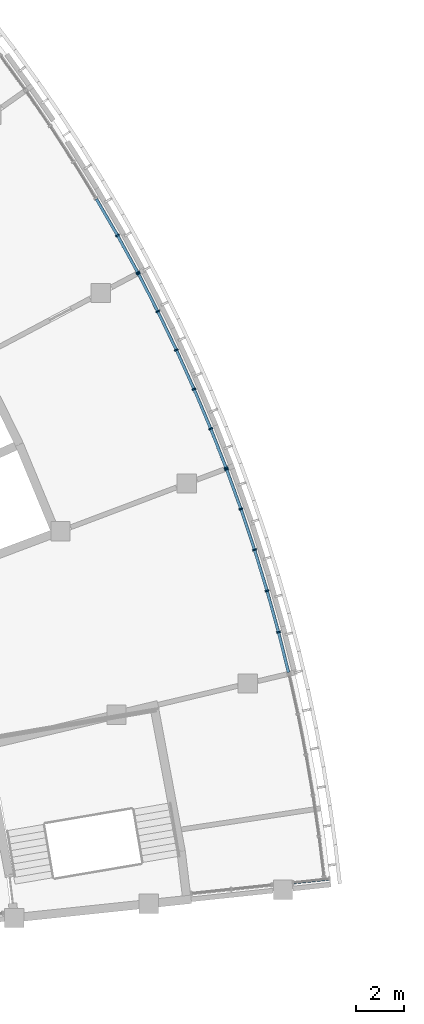
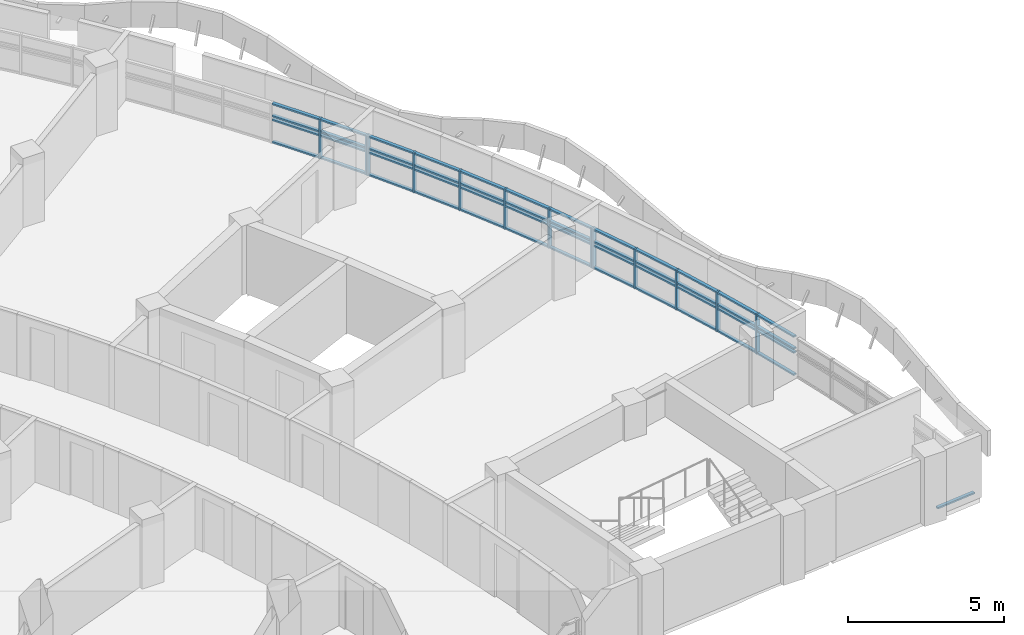
# One storey, part 20 of 89: 62 members, 4 elements without a shape of their own.
"""IFC4 building model written with IfcOpenShell, lengths in metres."""

from ifc_helpers import new_model, si_unit, direction, frame, origin, origin_2d, place, context, subcontext, project, spatial, rectangle, extrude, material, material_profile, profile_set, type_object, element, aggregate, save


model = new_model("IFC4")

# Units and contexts
model_context = context("Model", 3, precision=1e-05, world=origin(), true_north=direction((0.0, 1.0)))
body_context = subcontext(model_context, "Body", "Model", "MODEL_VIEW")
ifc_project = project(units=[si_unit("LENGTHUNIT", "METRE"), si_unit("AREAUNIT", "SQUARE_METRE"), si_unit("VOLUMEUNIT", "CUBIC_METRE"), si_unit("PLANEANGLEUNIT", "RADIAN"), si_unit("MASSUNIT", "GRAM", prefix="KILO")], contexts=[model_context])

# Site, building, storey
site_placement = place(None, origin())
site = spatial("IfcSite", under=ifc_project, at=site_placement, CompositionType="ELEMENT")
building_placement = place(site_placement, origin())
building = spatial("IfcBuilding", under=site, at=building_placement, Name="Bougainvillea Quay General Hospital", CompositionType="ELEMENT")
storey_placement = place(building_placement, frame((0.0, 0.0, 9.89990234375)))
storey = spatial("IfcBuildingStorey", under=building, at=storey_placement, Name="L01M", CompositionType="ELEMENT", Elevation=9.89990234375)

# Curtain wall, members
ifc_material_1 = material(Name="Aluminium curtain wall system, powder-coated glazed", Category="aluminium")
curtain_wall_type_1 = type_object("IfcCurtainWallType", Name="Unitised curtain wall CW-2100", PredefinedType="NOTDEFINED", material=ifc_material_1)
curtain_wall_1_placement = place(storey_placement, origin())
curtain_wall_1 = element("IfcCurtainWall", 1, at=curtain_wall_1_placement, inside=storey, type_object=curtain_wall_type_1, Name="CW-E05 a14b4", PredefinedType="NOTDEFINED")
ifc_material_2 = material(Name="Aluminium mullion, powder-coated charcoal", Category="aluminium")
ifc_material_profile_1 = material_profile(ifc_material_2, rectangle(XDim=0.159912109375, YDim=0.06005859375, at=origin_2d()))
ifc_profile_set_1 = profile_set([ifc_material_profile_1], Name="Aluminium mullion, powder-coated charcoal")
member_type_1 = type_object("IfcMemberType", Name="Curtain wall mullion 160x60", PredefinedType="MULLION", material=ifc_profile_set_1)
member_1_placement = place(storey_placement, frame((169.966064453125, 56.243408203125, 0.0), z_axis=(0.0, 0.0, 1.0), x_axis=(0.871193247428, 0.490940246503, 0.0)))
member_1 = element("IfcMember", 2, at=member_1_placement, type_object=member_type_1, Name="CW-E05 mullion 5", PredefinedType="MULLION", context=body_context, shape_type="SweptSolid", body=[
    extrude(rectangle(XDim=0.159912109375, YDim=0.06005859375, at=origin_2d()), origin(), (0.0, 0.0, 1.0), 1.550048828125),
])
member_2_placement = place(storey_placement, frame((170.805908203125, 54.707763671875, 0.0), z_axis=(0.0, 0.0, 1.0), x_axis=(0.877387439543, 0.479782535044, 0.0)))
member_2 = element("IfcMember", 3, at=member_2_placement, type_object=member_type_1, Name="CW-E05 mullion 6", PredefinedType="MULLION", context=body_context, shape_type="SweptSolid", body=[
    extrude(rectangle(XDim=0.159912109375, YDim=0.06005859375, at=origin_2d()), origin(), (0.0, 0.0, 1.0), 1.550048828125),
])

curtain_wall_2_placement = place(storey_placement, origin())
curtain_wall_2 = element("IfcCurtainWall", 4, at=curtain_wall_2_placement, inside=storey, type_object=curtain_wall_type_1, Name="CW-E06 a14b5", PredefinedType="NOTDEFINED")
member_3_placement = place(storey_placement, frame((170.833984375, 54.65478515625, 0.0), z_axis=(0.0, 0.0, 1.0), x_axis=(0.889346157599, 0.457234526215, 0.0)))
member_3 = element("IfcMember", 5, at=member_3_placement, type_object=member_type_1, Name="CW-E06 mullion 1", PredefinedType="MULLION", context=body_context, shape_type="SweptSolid", body=[
    extrude(rectangle(XDim=0.159912109375, YDim=0.06005859375, at=origin_2d()), origin(), (0.0, 0.0, 1.0), 1.550048828125),
])
member_4_placement = place(storey_placement, frame((171.63427734375, 53.09814453125, 0.0), z_axis=(0.0, 0.0, 1.0), x_axis=(0.895108735914, 0.445847901072, 0.0)))
member_4 = element("IfcMember", 6, at=member_4_placement, type_object=member_type_1, Name="CW-E06 mullion 2", PredefinedType="MULLION", context=body_context, shape_type="SweptSolid", body=[
    extrude(rectangle(XDim=0.159912109375, YDim=0.06005859375, at=origin_2d()), origin(), (0.0, 0.0, 1.0), 1.550048828125),
])
member_5_placement = place(storey_placement, frame((172.407470703125, 51.49462890625, 0.0), z_axis=(0.0, 0.0, 1.0), x_axis=(0.906195638727, 0.422858681301, 0.0)))
member_5 = element("IfcMember", 7, at=member_5_placement, type_object=member_type_1, Name="CW-E06 mullion 3", PredefinedType="MULLION", context=body_context, shape_type="SweptSolid", body=[
    extrude(rectangle(XDim=0.159912109375, YDim=0.06005859375, at=origin_2d()), origin(), (0.0, 0.0, 1.0), 1.550048828125),
])
member_6_placement = place(storey_placement, frame((173.1396484375, 49.871826171875, 0.0), z_axis=(0.0, 0.0, 1.0), x_axis=(0.916692224279, 0.399594001388, 0.0)))
member_6 = element("IfcMember", 8, at=member_6_placement, type_object=member_type_1, Name="CW-E06 mullion 4", PredefinedType="MULLION", context=body_context, shape_type="SweptSolid", body=[
    extrude(rectangle(XDim=0.159912109375, YDim=0.06005859375, at=origin_2d()), origin(), (0.0, 0.0, 1.0), 1.550048828125),
])
member_7_placement = place(storey_placement, frame((173.830078125, 48.23095703125, 0.0), z_axis=(0.0, 0.0, 1.0), x_axis=(0.926591654846, 0.376069016497, 0.0)))
member_7 = element("IfcMember", 9, at=member_7_placement, type_object=member_type_1, Name="CW-E06 mullion 5", PredefinedType="MULLION", context=body_context, shape_type="SweptSolid", body=[
    extrude(rectangle(XDim=0.159912109375, YDim=0.06005859375, at=origin_2d()), origin(), (0.0, 0.0, 1.0), 1.550048828125),
])
member_8_placement = place(storey_placement, frame((174.4677734375, 46.60107421875, 0.0), z_axis=(0.0, 0.0, 1.0), x_axis=(0.931315406472, 0.364213692311, 0.0)))
member_8 = element("IfcMember", 10, at=member_8_placement, type_object=member_type_1, Name="CW-E06 mullion 6", PredefinedType="MULLION", context=body_context, shape_type="SweptSolid", body=[
    extrude(rectangle(XDim=0.159912109375, YDim=0.06005859375, at=origin_2d()), origin(), (0.0, 0.0, 1.0), 1.550048828125),
])

curtain_wall_3_placement = place(storey_placement, origin())
curtain_wall_3 = element("IfcCurtainWall", 11, at=curtain_wall_3_placement, inside=storey, type_object=curtain_wall_type_1, Name="CW-E07 a14b6", PredefinedType="NOTDEFINED")
member_9_placement = place(storey_placement, frame((174.48876953125, 46.544921875, 0.0), z_axis=(0.0, 0.0, 1.0), x_axis=(0.940307135924, 0.340327034086, 0.0)))
member_9 = element("IfcMember", 12, at=member_9_placement, type_object=member_type_1, Name="CW-E07 mullion 1", PredefinedType="MULLION", context=body_context, shape_type="SweptSolid", body=[
    extrude(rectangle(XDim=0.159912109375, YDim=0.06005859375, at=origin_2d()), origin(), (0.0, 0.0, 1.0), 1.550048828125),
])
member_10_placement = place(storey_placement, frame((175.08447265625, 44.899169921875, 0.0), z_axis=(0.0, 0.0, 1.0), x_axis=(0.944573649334, 0.328299590289, 0.0)))
member_10 = element("IfcMember", 13, at=member_10_placement, type_object=member_type_1, Name="CW-E07 mullion 2", PredefinedType="MULLION", context=body_context, shape_type="SweptSolid", body=[
    extrude(rectangle(XDim=0.159912109375, YDim=0.06005859375, at=origin_2d()), origin(), (0.0, 0.0, 1.0), 1.550048828125),
])
member_11_placement = place(storey_placement, frame((175.6474609375, 43.210205078125, 0.0), z_axis=(0.0, 0.0, 1.0), x_axis=(0.952644499358, 0.304086267106, 0.0)))
member_11 = element("IfcMember", 14, at=member_11_placement, type_object=member_type_1, Name="CW-E07 mullion 3", PredefinedType="MULLION", context=body_context, shape_type="SweptSolid", body=[
    extrude(rectangle(XDim=0.159912109375, YDim=0.06005859375, at=origin_2d()), origin(), (0.0, 0.0, 1.0), 1.550048828125),
])
member_12_placement = place(storey_placement, frame((176.1669921875, 41.507568359375, 0.0), z_axis=(0.0, 0.0, 1.0), x_axis=(0.960094774236, 0.27967485494, 0.0)))
member_12 = element("IfcMember", 15, at=member_12_placement, type_object=member_type_1, Name="CW-E07 mullion 4", PredefinedType="MULLION", context=body_context, shape_type="SweptSolid", body=[
    extrude(rectangle(XDim=0.159912109375, YDim=0.06005859375, at=origin_2d()), origin(), (0.0, 0.0, 1.0), 1.550048828125),
])
member_13_placement = place(storey_placement, frame((176.64306640625, 39.7919921875, 0.0), z_axis=(0.0, 0.0, 1.0), x_axis=(0.966919620681, 0.255081255962, 0.0)))
member_13 = element("IfcMember", 16, at=member_13_placement, type_object=member_type_1, Name="CW-E07 mullion 5", PredefinedType="MULLION", context=body_context, shape_type="SweptSolid", body=[
    extrude(rectangle(XDim=0.159912109375, YDim=0.06005859375, at=origin_2d()), origin(), (0.0, 0.0, 1.0), 1.550048828125),
])

# Curtain wall, member
curtain_wall_type_2 = type_object("IfcCurtainWallType", Name="Unitised curtain wall CW-1581", PredefinedType="NOTDEFINED", material=ifc_material_1)
curtain_wall_4_placement = place(storey_placement, origin())
curtain_wall_4 = element("IfcCurtainWall", 17, at=curtain_wall_4_placement, inside=storey, type_object=curtain_wall_type_2, Name="CW-AE 05", PredefinedType="NOTDEFINED")
ifc_material_3 = material(Name="Aluminium transom, powder-coated charcoal", Category="aluminium")
ifc_material_profile_2 = material_profile(ifc_material_3, rectangle(XDim=0.1201171875, YDim=0.06005859375, at=origin_2d()))
ifc_profile_set_2 = profile_set([ifc_material_profile_2], Name="Aluminium transom, powder-coated charcoal")
member_type_2 = type_object("IfcMemberType", Name="Curtain wall transom 120x60", PredefinedType="USERDEFINED", material=ifc_profile_set_2)
member_14_placement = place(storey_placement, frame((177.27880859375, 29.40673828125, 0.030029296875), z_axis=(0.994526501462, 0.104484629923, 0.0), x_axis=(-0.104484629923, 0.994526501462, 0.0)))
member_14 = element("IfcMember", 18, at=member_14_placement, type_object=member_type_2, Name="CW-AE transom 1.1", ObjectType="TRANSOM", PredefinedType="USERDEFINED", context=body_context, shape_type="SweptSolid", body=[
    extrude(rectangle(XDim=0.1201171875, YDim=0.06005859375, at=origin_2d()), origin(), (0.0, 0.0, 1.0), 1.46044921875),
])
aggregate(curtain_wall_4, [member_14])

# Member
member_15_placement = place(storey_placement, frame((169.08740234375, 57.757080078125, 0.030029296875), z_axis=(0.502087586524, -0.864816775658, 0.0), x_axis=(0.864816775658, 0.502087586524, 0.0)))
member_15 = element("IfcMember", 19, at=member_15_placement, type_object=member_type_2, Name="CW-E05 transom 4.1", ObjectType="TRANSOM", PredefinedType="USERDEFINED", context=body_context, shape_type="SweptSolid", body=[
    extrude(rectangle(XDim=0.1201171875, YDim=0.06005859375, at=origin_2d()), origin(), (0.0, 0.0, 1.0), 1.720458984375),
])

member_16_placement = place(storey_placement, frame((169.08740234375, 57.757080078125, 0.900146484375), z_axis=(0.502087586524, -0.864816775658, 0.0), x_axis=(0.864816775658, 0.502087586524, 0.0)))
member_16 = element("IfcMember", 20, at=member_16_placement, type_object=member_type_2, Name="CW-E05 transom 4.2", ObjectType="TRANSOM", PredefinedType="USERDEFINED", context=body_context, shape_type="SweptSolid", body=[
    extrude(rectangle(XDim=0.1201171875, YDim=0.06005859375, at=origin_2d()), origin(), (0.0, 0.0, 1.0), 1.720458984375),
])

member_17_placement = place(storey_placement, frame((169.08740234375, 57.757080078125, 1.050048828125), z_axis=(0.502087586524, -0.864816775658, 0.0), x_axis=(0.864816775658, 0.502087586524, 0.0)))
member_17 = element("IfcMember", 21, at=member_17_placement, type_object=member_type_2, Name="CW-E05 transom 4.3", ObjectType="TRANSOM", PredefinedType="USERDEFINED", context=body_context, shape_type="SweptSolid", body=[
    extrude(rectangle(XDim=0.1201171875, YDim=0.06005859375, at=origin_2d()), origin(), (0.0, 0.0, 1.0), 1.720458984375),
])

member_18_placement = place(storey_placement, frame((169.08740234375, 57.757080078125, 1.52001953125), z_axis=(0.502087586524, -0.864816775658, 0.0), x_axis=(0.864816775658, 0.502087586524, 0.0)))
member_18 = element("IfcMember", 22, at=member_18_placement, type_object=member_type_2, Name="CW-E05 transom 4.4", ObjectType="TRANSOM", PredefinedType="USERDEFINED", context=body_context, shape_type="SweptSolid", body=[
    extrude(rectangle(XDim=0.1201171875, YDim=0.06005859375, at=origin_2d()), origin(), (0.0, 0.0, 1.0), 1.720458984375),
])

member_19_placement = place(storey_placement, frame((169.98046875, 56.217041015625, 0.030029296875), z_axis=(0.479782810498, -0.877387288915, 0.0), x_axis=(0.877387288915, 0.479782810498, 0.0)))
member_19 = element("IfcMember", 23, at=member_19_placement, type_object=member_type_2, Name="CW-E05 transom 5.1", ObjectType="TRANSOM", PredefinedType="USERDEFINED", context=body_context, shape_type="SweptSolid", body=[
    extrude(rectangle(XDim=0.1201171875, YDim=0.06005859375, at=origin_2d()), origin(), (0.0, 0.0, 1.0), 1.6904296875),
])

member_20_placement = place(storey_placement, frame((169.98046875, 56.217041015625, 0.900146484375), z_axis=(0.479782810498, -0.877387288915, 0.0), x_axis=(0.877387288915, 0.479782810498, 0.0)))
member_20 = element("IfcMember", 24, at=member_20_placement, type_object=member_type_2, Name="CW-E05 transom 5.2", ObjectType="TRANSOM", PredefinedType="USERDEFINED", context=body_context, shape_type="SweptSolid", body=[
    extrude(rectangle(XDim=0.1201171875, YDim=0.06005859375, at=origin_2d()), origin(), (0.0, 0.0, 1.0), 1.6904296875),
])

member_21_placement = place(storey_placement, frame((169.98046875, 56.217041015625, 1.050048828125), z_axis=(0.479782810498, -0.877387288915, 0.0), x_axis=(0.877387288915, 0.479782810498, 0.0)))
member_21 = element("IfcMember", 25, at=member_21_placement, type_object=member_type_2, Name="CW-E05 transom 5.3", ObjectType="TRANSOM", PredefinedType="USERDEFINED", context=body_context, shape_type="SweptSolid", body=[
    extrude(rectangle(XDim=0.1201171875, YDim=0.06005859375, at=origin_2d()), origin(), (0.0, 0.0, 1.0), 1.6904296875),
])

member_22_placement = place(storey_placement, frame((169.98046875, 56.217041015625, 1.52001953125), z_axis=(0.479782810498, -0.877387288915, 0.0), x_axis=(0.877387288915, 0.479782810498, 0.0)))
member_22 = element("IfcMember", 26, at=member_22_placement, type_object=member_type_2, Name="CW-E05 transom 5.4", ObjectType="TRANSOM", PredefinedType="USERDEFINED", context=body_context, shape_type="SweptSolid", body=[
    extrude(rectangle(XDim=0.1201171875, YDim=0.06005859375, at=origin_2d()), origin(), (0.0, 0.0, 1.0), 1.6904296875),
])

aggregate(curtain_wall_1, [member_1, member_2, member_15, member_16, member_17, member_18, member_19, member_20, member_21, member_22])

member_23_placement = place(storey_placement, frame((170.84765625, 54.6279296875, 0.030029296875), z_axis=(0.457295793511, -0.889314655922, 0.0), x_axis=(0.889314655922, 0.457295793511, 0.0)))
member_23 = element("IfcMember", 27, at=member_23_placement, type_object=member_type_2, Name="CW-E06 transom 1.1", ObjectType="TRANSOM", PredefinedType="USERDEFINED", context=body_context, shape_type="SweptSolid", body=[
    extrude(rectangle(XDim=0.1201171875, YDim=0.06005859375, at=origin_2d()), origin(), (0.0, 0.0, 1.0), 1.690185546875),
])

member_24_placement = place(storey_placement, frame((170.84765625, 54.6279296875, 0.900146484375), z_axis=(0.457295793511, -0.889314655922, 0.0), x_axis=(0.889314655922, 0.457295793511, 0.0)))
member_24 = element("IfcMember", 28, at=member_24_placement, type_object=member_type_2, Name="CW-E06 transom 1.2", ObjectType="TRANSOM", PredefinedType="USERDEFINED", context=body_context, shape_type="SweptSolid", body=[
    extrude(rectangle(XDim=0.1201171875, YDim=0.06005859375, at=origin_2d()), origin(), (0.0, 0.0, 1.0), 1.690185546875),
])

member_25_placement = place(storey_placement, frame((170.84765625, 54.6279296875, 1.050048828125), z_axis=(0.457295793511, -0.889314655922, 0.0), x_axis=(0.889314655922, 0.457295793511, 0.0)))
member_25 = element("IfcMember", 29, at=member_25_placement, type_object=member_type_2, Name="CW-E06 transom 1.3", ObjectType="TRANSOM", PredefinedType="USERDEFINED", context=body_context, shape_type="SweptSolid", body=[
    extrude(rectangle(XDim=0.1201171875, YDim=0.06005859375, at=origin_2d()), origin(), (0.0, 0.0, 1.0), 1.690185546875),
])

member_26_placement = place(storey_placement, frame((170.84765625, 54.6279296875, 1.52001953125), z_axis=(0.457295793511, -0.889314655922, 0.0), x_axis=(0.889314655922, 0.457295793511, 0.0)))
member_26 = element("IfcMember", 30, at=member_26_placement, type_object=member_type_2, Name="CW-E06 transom 1.4", ObjectType="TRANSOM", PredefinedType="USERDEFINED", context=body_context, shape_type="SweptSolid", body=[
    extrude(rectangle(XDim=0.1201171875, YDim=0.06005859375, at=origin_2d()), origin(), (0.0, 0.0, 1.0), 1.690185546875),
])

member_27_placement = place(storey_placement, frame((171.647216796875, 53.071044921875, 0.030029296875), z_axis=(0.434451356132, -0.90069529762, 0.0), x_axis=(0.90069529762, 0.434451356132, 0.0)))
member_27 = element("IfcMember", 31, at=member_27_placement, type_object=member_type_2, Name="CW-E06 transom 2.1", ObjectType="TRANSOM", PredefinedType="USERDEFINED", context=body_context, shape_type="SweptSolid", body=[
    extrude(rectangle(XDim=0.1201171875, YDim=0.06005859375, at=origin_2d()), origin(), (0.0, 0.0, 1.0), 1.72021484375),
])

member_28_placement = place(storey_placement, frame((171.647216796875, 53.071044921875, 0.900146484375), z_axis=(0.434451356132, -0.90069529762, 0.0), x_axis=(0.90069529762, 0.434451356132, 0.0)))
member_28 = element("IfcMember", 32, at=member_28_placement, type_object=member_type_2, Name="CW-E06 transom 2.2", ObjectType="TRANSOM", PredefinedType="USERDEFINED", context=body_context, shape_type="SweptSolid", body=[
    extrude(rectangle(XDim=0.1201171875, YDim=0.06005859375, at=origin_2d()), origin(), (0.0, 0.0, 1.0), 1.72021484375),
])

member_29_placement = place(storey_placement, frame((171.647216796875, 53.071044921875, 1.050048828125), z_axis=(0.434451356132, -0.90069529762, 0.0), x_axis=(0.90069529762, 0.434451356132, 0.0)))
member_29 = element("IfcMember", 33, at=member_29_placement, type_object=member_type_2, Name="CW-E06 transom 2.3", ObjectType="TRANSOM", PredefinedType="USERDEFINED", context=body_context, shape_type="SweptSolid", body=[
    extrude(rectangle(XDim=0.1201171875, YDim=0.06005859375, at=origin_2d()), origin(), (0.0, 0.0, 1.0), 1.72021484375),
])

member_30_placement = place(storey_placement, frame((171.647216796875, 53.071044921875, 1.52001953125), z_axis=(0.434451356132, -0.90069529762, 0.0), x_axis=(0.90069529762, 0.434451356132, 0.0)))
member_30 = element("IfcMember", 34, at=member_30_placement, type_object=member_type_2, Name="CW-E06 transom 2.4", ObjectType="TRANSOM", PredefinedType="USERDEFINED", context=body_context, shape_type="SweptSolid", body=[
    extrude(rectangle(XDim=0.1201171875, YDim=0.06005859375, at=origin_2d()), origin(), (0.0, 0.0, 1.0), 1.72021484375),
])

member_31_placement = place(storey_placement, frame((172.419921875, 51.46728515625, 0.030029296875), z_axis=(0.411267298249, -0.911514788356, 0.0), x_axis=(0.911514788356, 0.411267298249, 0.0)))
member_31 = element("IfcMember", 35, at=member_31_placement, type_object=member_type_2, Name="CW-E06 transom 3.1", ObjectType="TRANSOM", PredefinedType="USERDEFINED", context=body_context, shape_type="SweptSolid", body=[
    extrude(rectangle(XDim=0.1201171875, YDim=0.06005859375, at=origin_2d()), origin(), (0.0, 0.0, 1.0), 1.720458984375),
])

member_32_placement = place(storey_placement, frame((172.419921875, 51.46728515625, 0.900146484375), z_axis=(0.411267298249, -0.911514788356, 0.0), x_axis=(0.911514788356, 0.411267298249, 0.0)))
member_32 = element("IfcMember", 36, at=member_32_placement, type_object=member_type_2, Name="CW-E06 transom 3.2", ObjectType="TRANSOM", PredefinedType="USERDEFINED", context=body_context, shape_type="SweptSolid", body=[
    extrude(rectangle(XDim=0.1201171875, YDim=0.06005859375, at=origin_2d()), origin(), (0.0, 0.0, 1.0), 1.720458984375),
])

member_33_placement = place(storey_placement, frame((172.419921875, 51.46728515625, 1.050048828125), z_axis=(0.411267298249, -0.911514788356, 0.0), x_axis=(0.911514788356, 0.411267298249, 0.0)))
member_33 = element("IfcMember", 37, at=member_33_placement, type_object=member_type_2, Name="CW-E06 transom 3.3", ObjectType="TRANSOM", PredefinedType="USERDEFINED", context=body_context, shape_type="SweptSolid", body=[
    extrude(rectangle(XDim=0.1201171875, YDim=0.06005859375, at=origin_2d()), origin(), (0.0, 0.0, 1.0), 1.720458984375),
])

member_34_placement = place(storey_placement, frame((172.419921875, 51.46728515625, 1.52001953125), z_axis=(0.411267298249, -0.911514788356, 0.0), x_axis=(0.911514788356, 0.411267298249, 0.0)))
member_34 = element("IfcMember", 38, at=member_34_placement, type_object=member_type_2, Name="CW-E06 transom 3.4", ObjectType="TRANSOM", PredefinedType="USERDEFINED", context=body_context, shape_type="SweptSolid", body=[
    extrude(rectangle(XDim=0.1201171875, YDim=0.06005859375, at=origin_2d()), origin(), (0.0, 0.0, 1.0), 1.720458984375),
])

member_35_placement = place(storey_placement, frame((173.1513671875, 49.84423828125, 0.030029296875), z_axis=(0.387847626956, -0.921723504238, 0.0), x_axis=(0.921723504238, 0.387847626956, 0.0)))
member_35 = element("IfcMember", 39, at=member_35_placement, type_object=member_type_2, Name="CW-E06 transom 4.1", ObjectType="TRANSOM", PredefinedType="USERDEFINED", context=body_context, shape_type="SweptSolid", body=[
    extrude(rectangle(XDim=0.1201171875, YDim=0.06005859375, at=origin_2d()), origin(), (0.0, 0.0, 1.0), 1.720458984375),
])

member_36_placement = place(storey_placement, frame((173.1513671875, 49.84423828125, 0.900146484375), z_axis=(0.387847626956, -0.921723504238, 0.0), x_axis=(0.921723504238, 0.387847626956, 0.0)))
member_36 = element("IfcMember", 40, at=member_36_placement, type_object=member_type_2, Name="CW-E06 transom 4.2", ObjectType="TRANSOM", PredefinedType="USERDEFINED", context=body_context, shape_type="SweptSolid", body=[
    extrude(rectangle(XDim=0.1201171875, YDim=0.06005859375, at=origin_2d()), origin(), (0.0, 0.0, 1.0), 1.720458984375),
])

member_37_placement = place(storey_placement, frame((173.1513671875, 49.84423828125, 1.050048828125), z_axis=(0.387847626956, -0.921723504238, 0.0), x_axis=(0.921723504238, 0.387847626956, 0.0)))
member_37 = element("IfcMember", 41, at=member_37_placement, type_object=member_type_2, Name="CW-E06 transom 4.3", ObjectType="TRANSOM", PredefinedType="USERDEFINED", context=body_context, shape_type="SweptSolid", body=[
    extrude(rectangle(XDim=0.1201171875, YDim=0.06005859375, at=origin_2d()), origin(), (0.0, 0.0, 1.0), 1.720458984375),
])

member_38_placement = place(storey_placement, frame((173.1513671875, 49.84423828125, 1.52001953125), z_axis=(0.387847626956, -0.921723504238, 0.0), x_axis=(0.921723504238, 0.387847626956, 0.0)))
member_38 = element("IfcMember", 42, at=member_38_placement, type_object=member_type_2, Name="CW-E06 transom 4.4", ObjectType="TRANSOM", PredefinedType="USERDEFINED", context=body_context, shape_type="SweptSolid", body=[
    extrude(rectangle(XDim=0.1201171875, YDim=0.06005859375, at=origin_2d()), origin(), (0.0, 0.0, 1.0), 1.720458984375),
])

member_39_placement = place(storey_placement, frame((173.841064453125, 48.203125, 0.030029296875), z_axis=(0.364257753557, -0.931298174042, 0.0), x_axis=(0.931298174042, 0.364257753557, 0.0)))
member_39 = element("IfcMember", 43, at=member_39_placement, type_object=member_type_2, Name="CW-E06 transom 5.1", ObjectType="TRANSOM", PredefinedType="USERDEFINED", context=body_context, shape_type="SweptSolid", body=[
    extrude(rectangle(XDim=0.1201171875, YDim=0.06005859375, at=origin_2d()), origin(), (0.0, 0.0, 1.0), 1.6904296875),
])

member_40_placement = place(storey_placement, frame((173.841064453125, 48.203125, 0.900146484375), z_axis=(0.364257753557, -0.931298174042, 0.0), x_axis=(0.931298174042, 0.364257753557, 0.0)))
member_40 = element("IfcMember", 44, at=member_40_placement, type_object=member_type_2, Name="CW-E06 transom 5.2", ObjectType="TRANSOM", PredefinedType="USERDEFINED", context=body_context, shape_type="SweptSolid", body=[
    extrude(rectangle(XDim=0.1201171875, YDim=0.06005859375, at=origin_2d()), origin(), (0.0, 0.0, 1.0), 1.6904296875),
])

member_41_placement = place(storey_placement, frame((173.841064453125, 48.203125, 1.050048828125), z_axis=(0.364257753557, -0.931298174042, 0.0), x_axis=(0.931298174042, 0.364257753557, 0.0)))
member_41 = element("IfcMember", 45, at=member_41_placement, type_object=member_type_2, Name="CW-E06 transom 5.3", ObjectType="TRANSOM", PredefinedType="USERDEFINED", context=body_context, shape_type="SweptSolid", body=[
    extrude(rectangle(XDim=0.1201171875, YDim=0.06005859375, at=origin_2d()), origin(), (0.0, 0.0, 1.0), 1.6904296875),
])

member_42_placement = place(storey_placement, frame((173.841064453125, 48.203125, 1.52001953125), z_axis=(0.364257753557, -0.931298174042, 0.0), x_axis=(0.931298174042, 0.364257753557, 0.0)))
member_42 = element("IfcMember", 46, at=member_42_placement, type_object=member_type_2, Name="CW-E06 transom 5.4", ObjectType="TRANSOM", PredefinedType="USERDEFINED", context=body_context, shape_type="SweptSolid", body=[
    extrude(rectangle(XDim=0.1201171875, YDim=0.06005859375, at=origin_2d()), origin(), (0.0, 0.0, 1.0), 1.6904296875),
])

aggregate(curtain_wall_2, [member_3, member_4, member_5, member_6, member_7, member_8, member_23, member_24, member_25, member_26, member_27, member_28, member_29, member_30, member_31, member_32, member_33, member_34, member_35, member_36, member_37, member_38, member_39, member_40, member_41, member_42])

member_43_placement = place(storey_placement, frame((174.4990234375, 46.5166015625, 0.030029296875), z_axis=(0.340304572201, -0.940315265291, 0.0), x_axis=(0.940315265291, 0.340304572201, 0.0)))
member_43 = element("IfcMember", 47, at=member_43_placement, type_object=member_type_2, Name="CW-E07 transom 1.1", ObjectType="TRANSOM", PredefinedType="USERDEFINED", context=body_context, shape_type="SweptSolid", body=[
    extrude(rectangle(XDim=0.1201171875, YDim=0.06005859375, at=origin_2d()), origin(), (0.0, 0.0, 1.0), 1.690185546875),
])

member_44_placement = place(storey_placement, frame((174.4990234375, 46.5166015625, 0.900146484375), z_axis=(0.340304572201, -0.940315265291, 0.0), x_axis=(0.940315265291, 0.340304572201, 0.0)))
member_44 = element("IfcMember", 48, at=member_44_placement, type_object=member_type_2, Name="CW-E07 transom 1.2", ObjectType="TRANSOM", PredefinedType="USERDEFINED", context=body_context, shape_type="SweptSolid", body=[
    extrude(rectangle(XDim=0.1201171875, YDim=0.06005859375, at=origin_2d()), origin(), (0.0, 0.0, 1.0), 1.690185546875),
])

member_45_placement = place(storey_placement, frame((174.4990234375, 46.5166015625, 1.050048828125), z_axis=(0.340304572201, -0.940315265291, 0.0), x_axis=(0.940315265291, 0.340304572201, 0.0)))
member_45 = element("IfcMember", 49, at=member_45_placement, type_object=member_type_2, Name="CW-E07 transom 1.3", ObjectType="TRANSOM", PredefinedType="USERDEFINED", context=body_context, shape_type="SweptSolid", body=[
    extrude(rectangle(XDim=0.1201171875, YDim=0.06005859375, at=origin_2d()), origin(), (0.0, 0.0, 1.0), 1.690185546875),
])

member_46_placement = place(storey_placement, frame((174.4990234375, 46.5166015625, 1.52001953125), z_axis=(0.340304572201, -0.940315265291, 0.0), x_axis=(0.940315265291, 0.340304572201, 0.0)))
member_46 = element("IfcMember", 50, at=member_46_placement, type_object=member_type_2, Name="CW-E07 transom 1.4", ObjectType="TRANSOM", PredefinedType="USERDEFINED", context=body_context, shape_type="SweptSolid", body=[
    extrude(rectangle(XDim=0.1201171875, YDim=0.06005859375, at=origin_2d()), origin(), (0.0, 0.0, 1.0), 1.690185546875),
])

member_47_placement = place(storey_placement, frame((175.093994140625, 44.87060546875, 0.030029296875), z_axis=(0.316185191391, -0.948697488531, 0.0), x_axis=(0.948697488531, 0.316185191391, 0.0)))
member_47 = element("IfcMember", 51, at=member_47_placement, type_object=member_type_2, Name="CW-E07 transom 2.1", ObjectType="TRANSOM", PredefinedType="USERDEFINED", context=body_context, shape_type="SweptSolid", body=[
    extrude(rectangle(XDim=0.1201171875, YDim=0.06005859375, at=origin_2d()), origin(), (0.0, 0.0, 1.0), 1.720458984375),
])

member_48_placement = place(storey_placement, frame((175.093994140625, 44.87060546875, 0.900146484375), z_axis=(0.316185191391, -0.948697488531, 0.0), x_axis=(0.948697488531, 0.316185191391, 0.0)))
member_48 = element("IfcMember", 52, at=member_48_placement, type_object=member_type_2, Name="CW-E07 transom 2.2", ObjectType="TRANSOM", PredefinedType="USERDEFINED", context=body_context, shape_type="SweptSolid", body=[
    extrude(rectangle(XDim=0.1201171875, YDim=0.06005859375, at=origin_2d()), origin(), (0.0, 0.0, 1.0), 1.720458984375),
])

member_49_placement = place(storey_placement, frame((175.093994140625, 44.87060546875, 1.050048828125), z_axis=(0.316185191391, -0.948697488531, 0.0), x_axis=(0.948697488531, 0.316185191391, 0.0)))
member_49 = element("IfcMember", 53, at=member_49_placement, type_object=member_type_2, Name="CW-E07 transom 2.3", ObjectType="TRANSOM", PredefinedType="USERDEFINED", context=body_context, shape_type="SweptSolid", body=[
    extrude(rectangle(XDim=0.1201171875, YDim=0.06005859375, at=origin_2d()), origin(), (0.0, 0.0, 1.0), 1.720458984375),
])

member_50_placement = place(storey_placement, frame((175.093994140625, 44.87060546875, 1.52001953125), z_axis=(0.316185191391, -0.948697488531, 0.0), x_axis=(0.948697488531, 0.316185191391, 0.0)))
member_50 = element("IfcMember", 54, at=member_50_placement, type_object=member_type_2, Name="CW-E07 transom 2.4", ObjectType="TRANSOM", PredefinedType="USERDEFINED", context=body_context, shape_type="SweptSolid", body=[
    extrude(rectangle(XDim=0.1201171875, YDim=0.06005859375, at=origin_2d()), origin(), (0.0, 0.0, 1.0), 1.720458984375),
])

member_51_placement = place(storey_placement, frame((175.65625, 43.181396484375, 0.030029296875), z_axis=(0.29181104464, -0.956475987271, 0.0), x_axis=(0.956475987271, 0.29181104464, 0.0)))
member_51 = element("IfcMember", 55, at=member_51_placement, type_object=member_type_2, Name="CW-E07 transom 3.1", ObjectType="TRANSOM", PredefinedType="USERDEFINED", context=body_context, shape_type="SweptSolid", body=[
    extrude(rectangle(XDim=0.1201171875, YDim=0.06005859375, at=origin_2d()), origin(), (0.0, 0.0, 1.0), 1.72021484375),
])

member_52_placement = place(storey_placement, frame((175.65625, 43.181396484375, 0.900146484375), z_axis=(0.29181104464, -0.956475987271, 0.0), x_axis=(0.956475987271, 0.29181104464, 0.0)))
member_52 = element("IfcMember", 56, at=member_52_placement, type_object=member_type_2, Name="CW-E07 transom 3.2", ObjectType="TRANSOM", PredefinedType="USERDEFINED", context=body_context, shape_type="SweptSolid", body=[
    extrude(rectangle(XDim=0.1201171875, YDim=0.06005859375, at=origin_2d()), origin(), (0.0, 0.0, 1.0), 1.72021484375),
])

member_53_placement = place(storey_placement, frame((175.65625, 43.181396484375, 1.050048828125), z_axis=(0.29181104464, -0.956475987271, 0.0), x_axis=(0.956475987271, 0.29181104464, 0.0)))
member_53 = element("IfcMember", 57, at=member_53_placement, type_object=member_type_2, Name="CW-E07 transom 3.3", ObjectType="TRANSOM", PredefinedType="USERDEFINED", context=body_context, shape_type="SweptSolid", body=[
    extrude(rectangle(XDim=0.1201171875, YDim=0.06005859375, at=origin_2d()), origin(), (0.0, 0.0, 1.0), 1.72021484375),
])

member_54_placement = place(storey_placement, frame((175.65625, 43.181396484375, 1.52001953125), z_axis=(0.29181104464, -0.956475987271, 0.0), x_axis=(0.956475987271, 0.29181104464, 0.0)))
member_54 = element("IfcMember", 58, at=member_54_placement, type_object=member_type_2, Name="CW-E07 transom 3.4", ObjectType="TRANSOM", PredefinedType="USERDEFINED", context=body_context, shape_type="SweptSolid", body=[
    extrude(rectangle(XDim=0.1201171875, YDim=0.06005859375, at=origin_2d()), origin(), (0.0, 0.0, 1.0), 1.72021484375),
])

member_55_placement = place(storey_placement, frame((176.175048828125, 41.478515625, 0.030029296875), z_axis=(0.267402284132, -0.96358498247, 0.0), x_axis=(0.96358498247, 0.267402284132, 0.0)))
member_55 = element("IfcMember", 59, at=member_55_placement, type_object=member_type_2, Name="CW-E07 transom 4.1", ObjectType="TRANSOM", PredefinedType="USERDEFINED", context=body_context, shape_type="SweptSolid", body=[
    extrude(rectangle(XDim=0.1201171875, YDim=0.06005859375, at=origin_2d()), origin(), (0.0, 0.0, 1.0), 1.72021484375),
])

member_56_placement = place(storey_placement, frame((176.175048828125, 41.478515625, 0.900146484375), z_axis=(0.267402284132, -0.96358498247, 0.0), x_axis=(0.96358498247, 0.267402284132, 0.0)))
member_56 = element("IfcMember", 60, at=member_56_placement, type_object=member_type_2, Name="CW-E07 transom 4.2", ObjectType="TRANSOM", PredefinedType="USERDEFINED", context=body_context, shape_type="SweptSolid", body=[
    extrude(rectangle(XDim=0.1201171875, YDim=0.06005859375, at=origin_2d()), origin(), (0.0, 0.0, 1.0), 1.72021484375),
])

member_57_placement = place(storey_placement, frame((176.175048828125, 41.478515625, 1.050048828125), z_axis=(0.267402284132, -0.96358498247, 0.0), x_axis=(0.96358498247, 0.267402284132, 0.0)))
member_57 = element("IfcMember", 61, at=member_57_placement, type_object=member_type_2, Name="CW-E07 transom 4.3", ObjectType="TRANSOM", PredefinedType="USERDEFINED", context=body_context, shape_type="SweptSolid", body=[
    extrude(rectangle(XDim=0.1201171875, YDim=0.06005859375, at=origin_2d()), origin(), (0.0, 0.0, 1.0), 1.72021484375),
])

member_58_placement = place(storey_placement, frame((176.175048828125, 41.478515625, 1.52001953125), z_axis=(0.267402284132, -0.96358498247, 0.0), x_axis=(0.96358498247, 0.267402284132, 0.0)))
member_58 = element("IfcMember", 62, at=member_58_placement, type_object=member_type_2, Name="CW-E07 transom 4.4", ObjectType="TRANSOM", PredefinedType="USERDEFINED", context=body_context, shape_type="SweptSolid", body=[
    extrude(rectangle(XDim=0.1201171875, YDim=0.06005859375, at=origin_2d()), origin(), (0.0, 0.0, 1.0), 1.72021484375),
])

member_59_placement = place(storey_placement, frame((176.650390625, 39.762939453125, 0.030029296875), z_axis=(0.242671573116, -0.970108503004, 0.0), x_axis=(0.970108503004, 0.242671573116, 0.0)))
member_59 = element("IfcMember", 63, at=member_59_placement, type_object=member_type_2, Name="CW-E07 transom 5.1", ObjectType="TRANSOM", PredefinedType="USERDEFINED", context=body_context, shape_type="SweptSolid", body=[
    extrude(rectangle(XDim=0.1201171875, YDim=0.06005859375, at=origin_2d()), origin(), (0.0, 0.0, 1.0), 1.690185546875),
])

member_60_placement = place(storey_placement, frame((176.650390625, 39.762939453125, 0.900146484375), z_axis=(0.242671573116, -0.970108503004, 0.0), x_axis=(0.970108503004, 0.242671573116, 0.0)))
member_60 = element("IfcMember", 64, at=member_60_placement, type_object=member_type_2, Name="CW-E07 transom 5.2", ObjectType="TRANSOM", PredefinedType="USERDEFINED", context=body_context, shape_type="SweptSolid", body=[
    extrude(rectangle(XDim=0.1201171875, YDim=0.06005859375, at=origin_2d()), origin(), (0.0, 0.0, 1.0), 1.690185546875),
])

member_61_placement = place(storey_placement, frame((176.650390625, 39.762939453125, 1.050048828125), z_axis=(0.242671573116, -0.970108503004, 0.0), x_axis=(0.970108503004, 0.242671573116, 0.0)))
member_61 = element("IfcMember", 65, at=member_61_placement, type_object=member_type_2, Name="CW-E07 transom 5.3", ObjectType="TRANSOM", PredefinedType="USERDEFINED", context=body_context, shape_type="SweptSolid", body=[
    extrude(rectangle(XDim=0.1201171875, YDim=0.06005859375, at=origin_2d()), origin(), (0.0, 0.0, 1.0), 1.690185546875),
])

member_62_placement = place(storey_placement, frame((176.650390625, 39.762939453125, 1.52001953125), z_axis=(0.242671573116, -0.970108503004, 0.0), x_axis=(0.970108503004, 0.242671573116, 0.0)))
member_62 = element("IfcMember", 66, at=member_62_placement, type_object=member_type_2, Name="CW-E07 transom 5.4", ObjectType="TRANSOM", PredefinedType="USERDEFINED", context=body_context, shape_type="SweptSolid", body=[
    extrude(rectangle(XDim=0.1201171875, YDim=0.06005859375, at=origin_2d()), origin(), (0.0, 0.0, 1.0), 1.690185546875),
])

aggregate(curtain_wall_3, [member_9, member_10, member_11, member_12, member_13, member_43, member_44, member_45, member_46, member_47, member_48, member_49, member_50, member_51, member_52, member_53, member_54, member_55, member_56, member_57, member_58, member_59, member_60, member_61, member_62])

save(model, "model.ifc")
